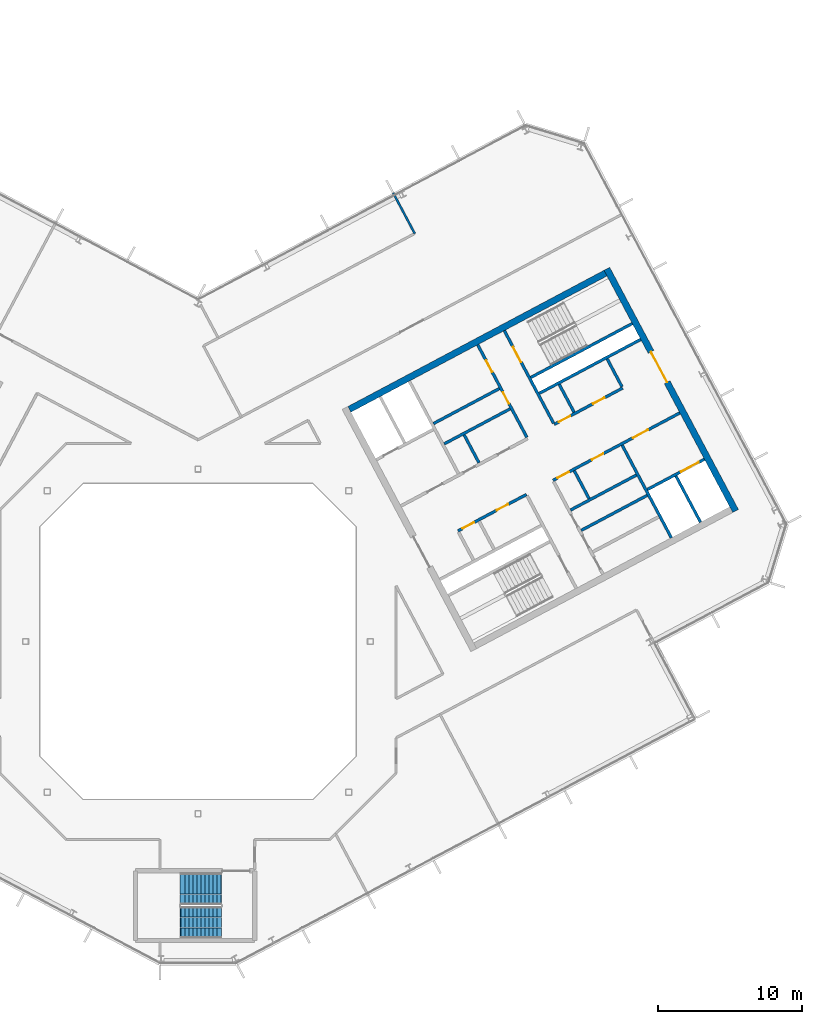
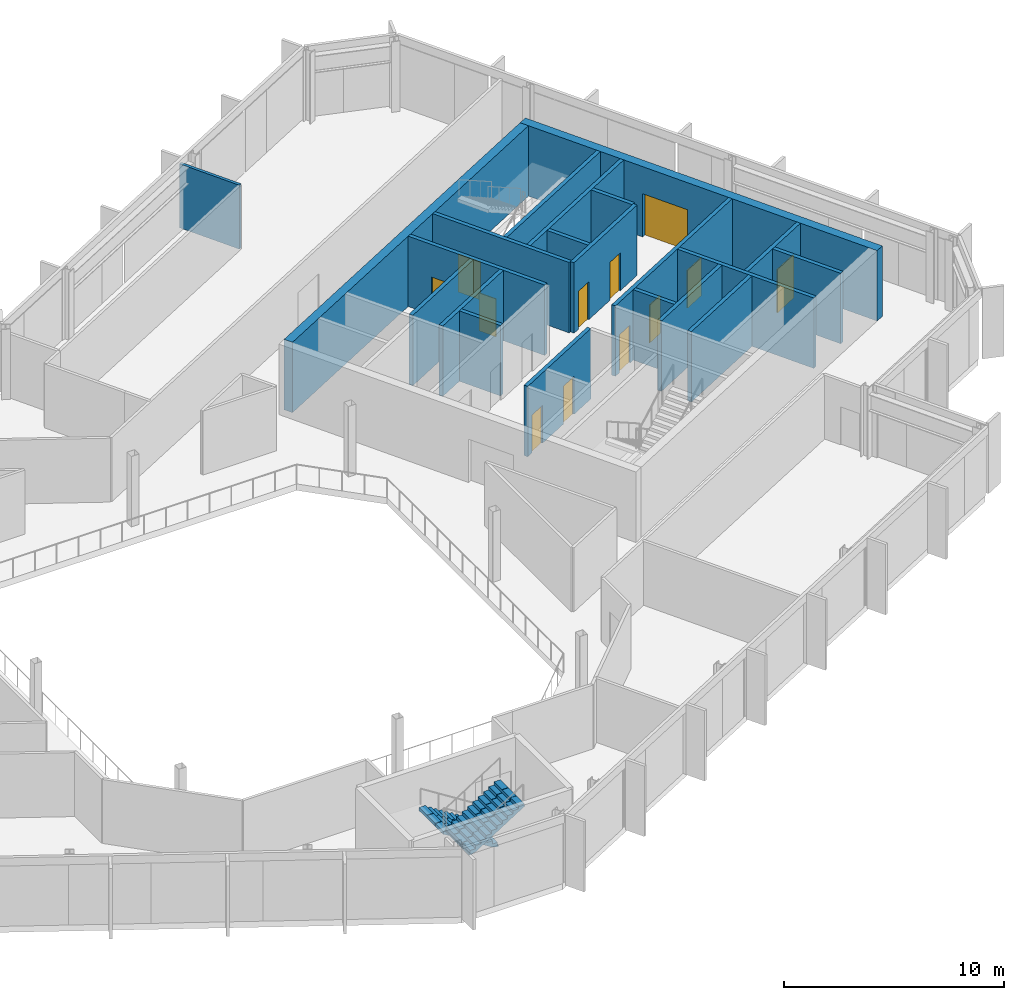
# One storey, part 17 of 26: 21 walls, 12 doors, 2 stair flights, 12 openings, 1 element without a shape of its own.
"""IFC4 building model written with IfcOpenShell, lengths in metres."""

import ifcopenshell
import ifcopenshell.guid

model = None  # the IFC model being written
_history = None  # IfcOwnerHistory: only IFC2X3 demands one
_inside = {}  # id of a spatial element -> (the spatial element, [elements in it])
_under = {}  # id of a project, library or spatial element -> (it, [spatial elements below it])
_declared = {}  # id of a project -> (the project, [libraries it declares])
_typed = {}  # id of a type object -> (the type object, [elements of that type])
_made_of = {}  # id of a material, layer set ... -> (it, [elements and type objects made of it])


def new_model(schema):
    """Start an empty IFC model of exactly this schema.

    Asked for "IFC4X3", IfcOpenShell would pick the latest addendum, in which some entities
    have other attributes; the version numbers below select the first issue.
    IFC2X3 requires an IfcOwnerHistory on every rooted entity: one is made here for all.
    """
    global model, _history
    if schema == "IFC4X3":
        model = ifcopenshell.file(schema_version=(4, 3, 0, 0))
    else:
        model = ifcopenshell.file(schema=schema)
    _inside.clear()
    _under.clear()
    _declared.clear()
    _typed.clear()
    _made_of.clear()
    _history = None
    if model.schema == "IFC2X3":
        org = make("IfcOrganization", Name="unknown")
        user = make(
            "IfcPersonAndOrganization",
            ThePerson=make("IfcPerson", FamilyName="unknown"),
            TheOrganization=org,
        )
        app = make(
            "IfcApplication",
            ApplicationDeveloper=org,
            Version="unknown",
            ApplicationFullName="unknown",
            ApplicationIdentifier="unknown",
        )
        _history = make(
            "IfcOwnerHistory",
            OwningUser=user,
            OwningApplication=app,
            ChangeAction="ADDED",
            CreationDate=0,
        )
    return model


def make(cls, **values):
    """One entity of the class cls with the attributes given. An attribute that is None is left unset."""
    return model.create_entity(
        cls, **{name: value for name, value in values.items() if value is not None}
    )


def rooted(cls, **values):
    """An entity with a GlobalId (a new one), such as an element, a storey or a relation."""
    return make(cls, GlobalId=ifcopenshell.guid.new(), OwnerHistory=_history, **values)


def si_unit(unit_type, name, prefix=None):
    """IfcSIUnit, for example si_unit("LENGTHUNIT", "METRE", prefix="MILLI")."""
    return make("IfcSIUnit", UnitType=unit_type, Prefix=prefix, Name=name)


def assignment(units):
    """IfcUnitAssignment: the units of a project."""
    return None if units is None else make("IfcUnitAssignment", Units=units)


def point(xyz):
    """IfcCartesianPoint."""
    return None if xyz is None else make("IfcCartesianPoint", Coordinates=xyz)


def direction(xyz):
    """IfcDirection."""
    return None if xyz is None else make("IfcDirection", DirectionRatios=xyz)


def frame(location, z_axis=None, x_axis=None):
    """IfcAxis2Placement3D, a coordinate frame: its origin and axes. An axis left out is left unset."""
    return make(
        "IfcAxis2Placement3D",
        Location=point(location),
        Axis=direction(z_axis),
        RefDirection=direction(x_axis),
    )


def frame_2d(location, x_axis=None):
    """IfcAxis2Placement2D, a coordinate frame in the plane: its origin and x axis."""
    return make(
        "IfcAxis2Placement2D", Location=point(location), RefDirection=direction(x_axis)
    )


def origin():
    """The frame at (0, 0, 0) with its axes left unset."""
    return frame((0.0, 0.0, 0.0))


def place(relative_to, where):
    """IfcLocalPlacement: puts the frame where relative to a parent placement (None: the world)."""
    return make(
        "IfcLocalPlacement", PlacementRelTo=relative_to, RelativePlacement=where
    )


def context(
    kind, dimensions, precision=None, world=None, true_north=None, identifier=None
):
    """IfcGeometricRepresentationContext, for example the 3D "Model" context."""
    return make(
        "IfcGeometricRepresentationContext",
        ContextIdentifier=identifier,
        ContextType=kind,
        CoordinateSpaceDimension=dimensions,
        Precision=precision,
        WorldCoordinateSystem=world,
        TrueNorth=true_north,
    )


def subcontext(parent, identifier, kind, view, scale=None):
    """IfcGeometricRepresentationSubContext, for example "Body" below "Model"."""
    return make(
        "IfcGeometricRepresentationSubContext",
        ContextIdentifier=identifier,
        ContextType=kind,
        ParentContext=parent,
        TargetScale=scale,
        TargetView=view,
    )


def project(units=None, contexts=None):
    """IfcProject with its units and contexts."""
    return rooted(
        "IfcProject",
        Name="project",
        RepresentationContexts=contexts,
        UnitsInContext=assignment(units),
    )


def spatial(cls, under=None, at=None, **own):
    """A site, building, storey or space (cls), placed at a placement, below another one or the project."""
    s = rooted(cls, ObjectPlacement=at, **own)
    if under is not None:
        _under.setdefault(under.id(), (under, []))[1].append(s)
    return s


def polyline(points):
    """IfcPolyline through the points."""
    return make("IfcPolyline", Points=[point(p) for p in points])


def profile(cls, at=None, kind="AREA", **sizes):
    """A parametric profile (cls). Its sizes go by their IFC names, for example OverallWidth=200.0."""
    return make(cls, ProfileType=kind, Position=at, **sizes)


def rectangle(**sizes):
    """IfcRectangleProfileDef."""
    return profile("IfcRectangleProfileDef", **sizes)


def outline(outer, holes=None, kind="AREA"):
    """IfcArbitraryClosedProfileDef: a profile drawn as a closed curve; with holes, ...WithVoids."""
    if holes is None:
        return make("IfcArbitraryClosedProfileDef", ProfileType=kind, OuterCurve=outer)
    return make(
        "IfcArbitraryProfileDefWithVoids",
        ProfileType=kind,
        OuterCurve=outer,
        InnerCurves=holes,
    )


def extrude(swept, where, along, depth):
    """IfcExtrudedAreaSolid: the profile swept, set in the frame where, extruded along a direction by depth."""
    return make(
        "IfcExtrudedAreaSolid",
        SweptArea=swept,
        Position=where,
        ExtrudedDirection=direction(along),
        Depth=depth,
    )


def shape(context_of_items, identifier, shape_type, items):
    """IfcShapeRepresentation: the items that make up one representation, for example the "Body"."""
    return make(
        "IfcShapeRepresentation",
        ContextOfItems=context_of_items,
        RepresentationIdentifier=identifier,
        RepresentationType=shape_type,
        Items=items,
    )


def material(Name=None, Category=None):
    """IfcMaterial."""
    return make("IfcMaterial", Name=Name, Category=Category)


def layer(
    of_material, thickness, ventilated=None, Name=None, Category=None, Priority=None
):
    """IfcMaterialLayer: one layer of a wall or slab, of a material (None: an air gap)."""
    return make(
        "IfcMaterialLayer",
        Material=of_material,
        LayerThickness=thickness,
        IsVentilated=ventilated,
        Name=Name,
        Category=Category,
        Priority=Priority,
    )


def layer_set(layers, Name=None):
    """IfcMaterialLayerSet."""
    return make("IfcMaterialLayerSet", MaterialLayers=layers, LayerSetName=Name)


def made_of(thing, what):
    """Note that an element or type object is made of a material, layer set ...; save() writes the relation."""
    if what is not None:
        _made_of.setdefault(what.id(), (what, []))[1].append(thing)
    return thing


def type_object(cls, material=None, **own):
    """A type object (cls), such as IfcWallType, which elements share."""
    return made_of(rooted(cls, **own), material)


def element(
    cls,
    number,
    at=None,
    inside=None,
    cuts=None,
    type_object=None,
    material=None,
    context=None,
    identifier="Body",
    shape_type=None,
    held_by="IfcProductDefinitionShape",
    body=None,
    shapes=None,
    **own,
):
    """One element of the class cls, such as IfcWall. Its Tag is "e" and its number.

    at: its placement. inside: the storey or other place that contains it. cuts: it is an
    opening in that element (IfcRelVoidsElement). A single representation is given by context,
    identifier, shape_type and body (its items); several are given by shapes. held_by: the class
    of the entity that holds the representations. save() writes the other relations.
    """
    e = rooted(cls, Tag="e%d" % number, ObjectPlacement=at, **own)
    if body is not None:
        shapes = [shape(context, identifier, shape_type, body)]
    if shapes is not None:
        e.Representation = make(held_by, Representations=shapes)
    if inside is not None:
        _inside.setdefault(inside.id(), (inside, []))[1].append(e)
    if cuts is not None:
        rooted(
            "IfcRelVoidsElement", RelatingBuildingElement=cuts, RelatedOpeningElement=e
        )
    if type_object is not None:
        _typed.setdefault(type_object.id(), (type_object, []))[1].append(e)
    return made_of(e, material)


def fill(opening, filler):
    """IfcRelFillsElement: the door or window that sits in an opening."""
    return rooted(
        "IfcRelFillsElement",
        RelatingOpeningElement=opening,
        RelatedBuildingElement=filler,
    )


def aggregate(whole, parts):
    """IfcRelAggregates: a whole, such as a stair, and the parts it consists of."""
    return rooted("IfcRelAggregates", RelatingObject=whole, RelatedObjects=parts)


def save(model, path):
    """Write the relations noted so far, then the file.

    IfcRelAggregates (storeys below a building ...), IfcRelContainedInSpatialStructure (elements
    in a storey), IfcRelDefinesByType, IfcRelAssociatesMaterial and IfcRelDeclares: one each for
    every whole, place, type object, material and project.
    """
    for whole, parts in _under.values():
        aggregate(whole, parts)
    for where, things in _inside.values():
        rooted(
            "IfcRelContainedInSpatialStructure",
            RelatedElements=things,
            RelatingStructure=where,
        )
    for kind, things in _typed.values():
        rooted("IfcRelDefinesByType", RelatedObjects=things, RelatingType=kind)
    for what, things in _made_of.values():
        rooted("IfcRelAssociatesMaterial", RelatedObjects=things, RelatingMaterial=what)
    for by, libraries in _declared.values():
        rooted("IfcRelDeclares", RelatingContext=by, RelatedDefinitions=libraries)
    model.write(path)


model = new_model("IFC4")

# Units and contexts
model_context = context("Model", 3, precision=1e-05, world=origin(), true_north=direction((0.0, 1.0)))
body_context = subcontext(model_context, "Body", "Model", "MODEL_VIEW")
ifc_project = project(units=[si_unit("LENGTHUNIT", "METRE"), si_unit("AREAUNIT", "SQUARE_METRE"), si_unit("VOLUMEUNIT", "CUBIC_METRE"), si_unit("PLANEANGLEUNIT", "RADIAN"), si_unit("MASSUNIT", "GRAM", prefix="KILO")], contexts=[model_context])

# Site, building, storey
site_placement = place(None, origin())
site = spatial("IfcSite", under=ifc_project, at=site_placement, CompositionType="ELEMENT")
building_placement = place(site_placement, origin())
building = spatial("IfcBuilding", under=site, at=building_placement, Name="Cormorant Relay Tower", CompositionType="ELEMENT")
storey_placement = place(building_placement, frame((0.0, 0.0, 304.800048828125)))
storey = spatial("IfcBuildingStorey", under=building, at=storey_placement, Name="L69", CompositionType="ELEMENT", Elevation=304.800048828125)

# Walls
ifc_material_1 = material(Name="Concrete 40 MPa", Category="concrete")
ifc_layer_1 = layer(ifc_material_1, 0.199951171875)
ifc_layer_set_1 = layer_set([ifc_layer_1], Name="Core internal wall 200")
wall_type_1 = type_object("IfcWallType", Name="Core internal wall 200", PredefinedType="SOLIDWALL", material=ifc_layer_set_1)
for number, where, z_axis, x_axis, name in (
    (1, (19.568603515625, 12.443603515625, 0.0), (0.0, 0.0, 1.0), (-0.4694473164, 0.882960484464, 0.0), "L69 core B shaft and room wall"),
    (2, (27.236083984375, 9.951416015625, 0.0), (0.0, 0.0, 1.0), (-0.4694473164, 0.882960484464, 0.0), "L69 core B shaft and room wall"),
    (3, (26.19091796875, 15.964599609375, 0.0), (0.0, 0.0, 1.0), (-0.469533832133, 0.882914480843, 0.0), "L69 core B shaft and room wall"),
):
    element("IfcWall", number, at=place(storey_placement, frame(where, z_axis=z_axis, x_axis=x_axis)), inside=storey, type_object=wall_type_1, Name=name, PredefinedType="SOLIDWALL", context=body_context, shape_type="SweptSolid", body=[
        extrude(rectangle(XDim=2.199951171875, YDim=0.199951171875, at=frame_2d((1.10009765625, 0.0))), origin(), (0.0, 0.0, 1.0), 3.89990234375),
    ])
for number, where, z_axis, x_axis, name in (
    (4, (26.692138671875, 7.73681640625, 0.0), (0.0, 0.0, 1.0), (0.882953967957, 0.469459572775, 0.0), "L69 core B shaft and room wall"),
    (5, (16.395751953125, 15.17333984375, 0.0), (0.0, 0.0, 1.0), (0.882934506056, 0.469496174655, 0.0), "L69 core B shaft and room wall"),
):
    element("IfcWall", number, at=place(storey_placement, frame(where, z_axis=z_axis, x_axis=x_axis)), inside=storey, type_object=wall_type_1, Name=name, PredefinedType="SOLIDWALL", context=body_context, shape_type="SweptSolid", body=[
        extrude(rectangle(XDim=5.199951171875, YDim=0.199951171875, at=frame_2d((2.60009765625, 0.0))), origin(), (0.0, 0.0, 1.0), 3.89990234375),
    ])

# Wall, openings, doors
ifc_material_2 = material(Name="Concrete 50 MPa", Category="concrete")
ifc_layer_2 = layer(ifc_material_2, 0.199951171875)
ifc_layer_set_2 = layer_set([ifc_layer_2], Name="Core shaft wall 200")
wall_type_2 = type_object("IfcWallType", Name="Core shaft wall 200", PredefinedType="SHEAR", material=ifc_layer_set_2)
wall_1_placement = place(storey_placement, frame((22.90625, 14.218017578125, 0.0), z_axis=(0.0, 0.0, 1.0), x_axis=(-0.469480409012, 0.88294288918, 0.0)))
wall_1 = element("IfcWall", 6, at=wall_1_placement, inside=storey, type_object=wall_type_2, Name="L69 core B shaft wall", PredefinedType="SHEAR", context=body_context, shape_type="SweptSolid", body=[
    extrude(rectangle(XDim=7.300048828125, YDim=0.199951171875, at=frame_2d((3.64990234375, 0.0))), origin(), (0.0, 0.0, 1.0), 3.89990234375),
])
opening_1_placement = place(wall_1_placement, frame((2.64990234375, 0.0, 0.0)))
opening_1 = element("IfcOpeningElement", 7, at=opening_1_placement, cuts=wall_1, Name="Opening CDD-304", PredefinedType="OPENING", context=body_context, shape_type="SweptSolid", body=[
    extrude(rectangle(XDim=0.89990234375, YDim=2.10009765625, at=frame_2d((0.449951171875, 1.050048828125))), frame((0.0, 0.10986328125, 0.0), z_axis=(0.0, -1.0, 0.0), x_axis=(1.0, 0.0, 0.0)), (0.0, 0.0, 1.0), 0.219970703125),
])
opening_2_placement = place(wall_1_placement, frame((5.14990234375, 0.0, 0.0)))
opening_2 = element("IfcOpeningElement", 8, at=opening_2_placement, cuts=wall_1, Name="Opening CDD-342", PredefinedType="OPENING", context=body_context, shape_type="SweptSolid", body=[
    extrude(rectangle(XDim=0.89990234375, YDim=2.10009765625, at=frame_2d((0.449951171875, 1.050048828125))), frame((0.0, 0.10986328125, 0.0), z_axis=(0.0, -1.0, 0.0), x_axis=(1.0, 0.0, 0.0)), (0.0, 0.0, 1.0), 0.219970703125),
])
ifc_material_3 = material(Name="Steel fire door", Category="steel")
door_type_1 = type_object("IfcDoorType", Name="Core room door 900x2100", OperationType="SINGLE_SWING_LEFT", PredefinedType="DOOR", material=ifc_material_3)
door_1_placement = place(opening_1_placement, origin())
door_1 = element("IfcDoor", 9, at=door_1_placement, inside=storey, type_object=door_type_1, Name="Core room door 900x2100", OperationType="SINGLE_SWING_RIGHT", OverallHeight=2.10009765625, OverallWidth=0.89990234375, PredefinedType="DOOR", context=body_context, shape_type="SweptSolid", body=[
    extrude(rectangle(XDim=0.89990234375, YDim=2.10009765625, at=frame_2d((0.449951171875, 1.050048828125))), frame((0.0, 0.02490234375, 0.0), z_axis=(0.0, -1.0, 0.0), x_axis=(1.0, 0.0, 0.0)), (0.0, 0.0, 1.0), 0.050048828125),
])
fill(opening_1, door_1)
door_2_placement = place(opening_2_placement, origin())
door_2 = element("IfcDoor", 10, at=door_2_placement, inside=storey, type_object=door_type_1, Name="Core room door 900x2100", OperationType="SINGLE_SWING_LEFT", OverallHeight=2.10009765625, OverallWidth=0.89990234375, PredefinedType="DOOR", context=body_context, shape_type="SweptSolid", body=[
    extrude(rectangle(XDim=0.89990234375, YDim=2.10009765625, at=frame_2d((0.449951171875, 1.050048828125))), frame((0.0, 0.02490234375, 0.0), z_axis=(0.0, -1.0, 0.0), x_axis=(1.0, 0.0, 0.0)), (0.0, 0.0, 1.0), 0.050048828125),
])
fill(opening_2, door_2)

# Wall, opening, door
wall_2_placement = place(storey_placement, frame((24.760498046875, 15.2041015625, 0.0), z_axis=(0.0, 0.0, 1.0), x_axis=(-0.469494272526, 0.882935517501, 0.0)))
wall_2 = element("IfcWall", 11, at=wall_2_placement, inside=storey, type_object=wall_type_2, Name="L69 core B shaft wall", PredefinedType="SHEAR", context=body_context, shape_type="SweptSolid", body=[
    extrude(rectangle(XDim=7.2998046875, YDim=0.199951171875, at=frame_2d((3.64990234375, 0.0))), origin(), (0.0, 0.0, 1.0), 3.89990234375),
])
opening_3_placement = place(wall_2_placement, frame((4.800048828125, 0.0, 0.0)))
opening_3 = element("IfcOpeningElement", 12, at=opening_3_placement, cuts=wall_2, Name="Opening CDB-041", PredefinedType="OPENING", context=body_context, shape_type="SweptSolid", body=[
    extrude(rectangle(XDim=1.199951171875, YDim=2.10009765625, at=frame_2d((0.60009765625, 1.050048828125))), frame((0.0, 0.10986328125, 0.0), z_axis=(0.0, -1.0, 0.0), x_axis=(1.0, 0.0, 0.0)), (0.0, 0.0, 1.0), 0.219970703125),
])
ifc_material_4 = material(Name="Steel fire door", Category="steel")
door_type_2 = type_object("IfcDoorType", Name="Core stair door 1200x2100", OperationType="SINGLE_SWING_LEFT", PredefinedType="DOOR", material=ifc_material_4)
door_3_placement = place(opening_3_placement, frame((1.199951171875, 0.0, 0.0), z_axis=(0.0, 0.0, 1.0), x_axis=(-1.0, 0.0, 0.0)))
door_3 = element("IfcDoor", 13, at=door_3_placement, inside=storey, type_object=door_type_2, Name="Core stair door 1200x2100", OperationType="SINGLE_SWING_RIGHT", OverallHeight=2.10009765625, OverallWidth=1.199951171875, PredefinedType="DOOR", context=body_context, shape_type="SweptSolid", body=[
    extrude(rectangle(XDim=1.199951171875, YDim=2.10009765625, at=frame_2d((0.60009765625, 1.050048828125))), frame((0.0, 0.02490234375, 0.0), z_axis=(0.0, -1.0, 0.0), x_axis=(1.0, 0.0, 0.0)), (0.0, 0.0, 1.0), 0.050048828125),
])
fill(opening_3, door_3)

# Walls
wall_3_placement = place(storey_placement, frame((32.968017578125, 7.222900390625, 0.0), z_axis=(0.0, 0.0, 1.0), x_axis=(-0.469480409012, 0.88294288918, 0.0)))
element("IfcWall", 14, at=wall_3_placement, inside=storey, type_object=wall_type_2, Name="L69 core B shaft wall", PredefinedType="SHEAR", context=body_context, shape_type="SweptSolid", body=[
    extrude(rectangle(XDim=7.300048828125, YDim=0.199951171875, at=frame_2d((3.64990234375, 0.0))), origin(), (0.0, 0.0, 1.0), 3.89990234375),
])
wall_4_placement = place(storey_placement, frame((29.5283203125, 17.739013671875, 0.0), z_axis=(0.0, 0.0, 1.0), x_axis=(-0.469401318492, 0.882984938828, 0.0)))
element("IfcWall", 15, at=wall_4_placement, inside=storey, type_object=wall_type_2, Name="L69 core B shaft wall", PredefinedType="SHEAR", context=body_context, shape_type="SweptSolid", body=[
    extrude(rectangle(XDim=2.199951171875, YDim=0.199951171875, at=frame_2d((1.10009765625, 0.0))), origin(), (0.0, 0.0, 1.0), 3.89990234375),
])
wall_5_placement = place(storey_placement, frame((34.998779296875, 8.302734375, 0.0), z_axis=(0.0, 0.0, 1.0), x_axis=(-0.4694665462, 0.882950260207, 0.0)))
element("IfcWall", 16, at=wall_5_placement, inside=storey, type_object=wall_type_2, Name="L69 core B shaft wall", PredefinedType="SHEAR", context=body_context, shape_type="SweptSolid", body=[
    extrude(rectangle(XDim=3.650146484375, YDim=0.199951171875, at=frame_2d((1.8251953125, 0.0))), origin(), (0.0, 0.0, 1.0), 3.89990234375),
])

# Wall, opening, door
wall_6_placement = place(storey_placement, frame((31.295654296875, 10.5810546875, 0.0), z_axis=(0.0, 0.0, 1.0), x_axis=(0.882960433586, 0.469447412093, 0.0)))
wall_6 = element("IfcWall", 17, at=wall_6_placement, inside=storey, type_object=wall_type_2, Name="L69 core B shaft wall", PredefinedType="SHEAR", context=body_context, shape_type="SweptSolid", body=[
    extrude(rectangle(XDim=4.5, YDim=0.199951171875, at=frame_2d((2.25, 0.0))), origin(), (0.0, 0.0, 1.0), 3.89990234375),
])
opening_4_placement = place(wall_6_placement, frame((2.64990234375, 0.0, 0.0)))
opening_4 = element("IfcOpeningElement", 18, at=opening_4_placement, cuts=wall_6, Name="Opening LD3-016", PredefinedType="OPENING", context=body_context, shape_type="SweptSolid", body=[
    extrude(rectangle(XDim=1.39990234375, YDim=2.39990234375, at=frame_2d((0.699951171875, 1.199951171875))), frame((0.0, 0.10986328125, 0.0), z_axis=(0.0, -1.0, 0.0), x_axis=(1.0, 0.0, 0.0)), (0.0, 0.0, 1.0), 0.219970703125),
])
ifc_material_5 = material(Name="Stainless steel 316", Category="steel")
door_type_3 = type_object("IfcDoorType", Name="Lift landing door 1400x2400", OperationType="DOUBLE_DOOR_SLIDING", PredefinedType="DOOR", material=ifc_material_5)
door_4_placement = place(opening_4_placement, origin())
door_4 = element("IfcDoor", 19, at=door_4_placement, inside=storey, type_object=door_type_3, Name="SV2 landing door", OperationType="DOUBLE_DOOR_SLIDING", OverallHeight=2.39990234375, OverallWidth=1.39990234375, PredefinedType="DOOR", context=body_context, shape_type="SweptSolid", body=[
    extrude(rectangle(XDim=1.39990234375, YDim=2.39990234375, at=frame_2d((0.699951171875, 1.199951171875))), frame((0.0, 0.02490234375, 0.0), z_axis=(0.0, -1.0, 0.0), x_axis=(1.0, 0.0, 0.0)), (0.0, 0.0, 1.0), 0.050048828125),
])
fill(opening_4, door_4)

# Wall
wall_7_placement = place(storey_placement, frame((25.94091796875, 9.149658203125, 0.0), z_axis=(0.0, 0.0, 1.0), x_axis=(0.882953967957, 0.469459572775, 0.0)))
element("IfcWall", 20, at=wall_7_placement, inside=storey, type_object=wall_type_2, Name="L69 core B shaft wall", PredefinedType="SHEAR", context=body_context, shape_type="SweptSolid", body=[
    extrude(rectangle(XDim=5.199951171875, YDim=0.199951171875, at=frame_2d((2.60009765625, 0.0))), origin(), (0.0, 0.0, 1.0), 3.89990234375),
])

# Wall, openings, doors
wall_8_placement = place(storey_placement, frame((18.103759765625, 7.70068359375, 0.0), z_axis=(0.0, 0.0, 1.0), x_axis=(0.882952937579, 0.469461510692, 0.0)))
wall_8 = element("IfcWall", 21, at=wall_8_placement, inside=storey, type_object=wall_type_2, Name="L69 core B shaft wall", PredefinedType="SHEAR", context=body_context, shape_type="SweptSolid", body=[
    extrude(rectangle(XDim=5.400146484375, YDim=0.199951171875, at=frame_2d((2.7001953125, 0.0))), origin(), (0.0, 0.0, 1.0), 3.89990234375),
])
opening_5_placement = place(wall_8_placement, frame((0.360107421875, 0.0, 0.0)))
opening_5 = element("IfcOpeningElement", 22, at=opening_5_placement, cuts=wall_8, Name="Opening CDD-245", PredefinedType="OPENING", context=body_context, shape_type="SweptSolid", body=[
    extrude(rectangle(XDim=0.89990234375, YDim=2.10009765625, at=frame_2d((0.449951171875, 1.050048828125))), frame((0.0, 0.10986328125, 0.0), z_axis=(0.0, -1.0, 0.0), x_axis=(1.0, 0.0, 0.0)), (0.0, 0.0, 1.0), 0.219970703125),
])
opening_6_placement = place(wall_8_placement, frame((3.06005859375, 0.0, 0.0)))
opening_6 = element("IfcOpeningElement", 23, at=opening_6_placement, cuts=wall_8, Name="Opening CDD-246", PredefinedType="OPENING", context=body_context, shape_type="SweptSolid", body=[
    extrude(rectangle(XDim=0.89990234375, YDim=2.10009765625, at=frame_2d((0.449951171875, 1.050048828125))), frame((0.0, 0.10986328125, 0.0), z_axis=(0.0, -1.0, 0.0), x_axis=(1.0, 0.0, 0.0)), (0.0, 0.0, 1.0), 0.219970703125),
])
door_5_placement = place(opening_5_placement, frame((0.89990234375, 0.0, 0.0), z_axis=(0.0, 0.0, 1.0), x_axis=(-1.0, 0.0, 0.0)))
door_5 = element("IfcDoor", 24, at=door_5_placement, inside=storey, type_object=door_type_1, Name="Core room door 900x2100", OperationType="SINGLE_SWING_RIGHT", OverallHeight=2.10009765625, OverallWidth=0.89990234375, PredefinedType="DOOR", context=body_context, shape_type="SweptSolid", body=[
    extrude(rectangle(XDim=0.89990234375, YDim=2.10009765625, at=frame_2d((0.449951171875, 1.050048828125))), frame((0.0, 0.02490234375, 0.0), z_axis=(0.0, -1.0, 0.0), x_axis=(1.0, 0.0, 0.0)), (0.0, 0.0, 1.0), 0.050048828125),
])
fill(opening_5, door_5)
door_6_placement = place(opening_6_placement, frame((0.89990234375, 0.0, 0.0), z_axis=(0.0, 0.0, 1.0), x_axis=(-1.0, 0.0, 0.0)))
door_6 = element("IfcDoor", 25, at=door_6_placement, inside=storey, type_object=door_type_1, Name="Core room door 900x2100", OperationType="SINGLE_SWING_RIGHT", OverallHeight=2.10009765625, OverallWidth=0.89990234375, PredefinedType="DOOR", context=body_context, shape_type="SweptSolid", body=[
    extrude(rectangle(XDim=0.89990234375, YDim=2.10009765625, at=frame_2d((0.449951171875, 1.050048828125))), frame((0.0, 0.02490234375, 0.0), z_axis=(0.0, -1.0, 0.0), x_axis=(1.0, 0.0, 0.0)), (0.0, 0.0, 1.0), 0.050048828125),
])
fill(opening_6, door_6)

wall_9_placement = place(storey_placement, frame((24.72607421875, 11.2216796875, 0.0), z_axis=(0.0, 0.0, 1.0), x_axis=(0.882940221191, 0.469485426614, 0.0)))
wall_9 = element("IfcWall", 26, at=wall_9_placement, inside=storey, type_object=wall_type_2, Name="L69 core B shaft wall", PredefinedType="SHEAR", context=body_context, shape_type="SweptSolid", body=[
    extrude(rectangle(XDim=10.0, YDim=0.199951171875, at=frame_2d((5.0, 0.0))), origin(), (0.0, 0.0, 1.0), 3.89990234375),
])
opening_7_placement = place(wall_9_placement, frame((6.300048828125, 0.0, 0.0)))
opening_7 = element("IfcOpeningElement", 27, at=opening_7_placement, cuts=wall_9, Name="Opening CDC-036", PredefinedType="OPENING", context=body_context, shape_type="SweptSolid", body=[
    extrude(rectangle(XDim=1.199951171875, YDim=2.10009765625, at=frame_2d((0.60009765625, 1.050048828125))), frame((0.0, 0.10986328125, 0.0), z_axis=(0.0, -1.0, 0.0), x_axis=(1.0, 0.0, 0.0)), (0.0, 0.0, 1.0), 0.219970703125),
])
opening_8_placement = place(wall_9_placement, frame((0.360107421875, 0.0, 0.0)))
opening_8 = element("IfcOpeningElement", 28, at=opening_8_placement, cuts=wall_9, Name="Opening CDD-247", PredefinedType="OPENING", context=body_context, shape_type="SweptSolid", body=[
    extrude(rectangle(XDim=0.89990234375, YDim=2.10009765625, at=frame_2d((0.449951171875, 1.050048828125))), frame((0.0, 0.10986328125, 0.0), z_axis=(0.0, -1.0, 0.0), x_axis=(1.0, 0.0, 0.0)), (0.0, 0.0, 1.0), 0.219970703125),
])
opening_9_placement = place(wall_9_placement, frame((3.06005859375, 0.0, 0.0)))
opening_9 = element("IfcOpeningElement", 29, at=opening_9_placement, cuts=wall_9, Name="Opening CDD-248", PredefinedType="OPENING", context=body_context, shape_type="SweptSolid", body=[
    extrude(rectangle(XDim=0.89990234375, YDim=2.10009765625, at=frame_2d((0.449951171875, 1.050048828125))), frame((0.0, 0.10986328125, 0.0), z_axis=(0.0, -1.0, 0.0), x_axis=(1.0, 0.0, 0.0)), (0.0, 0.0, 1.0), 0.219970703125),
])
ifc_material_6 = material(Name="Steel fire door", Category="steel")
door_type_4 = type_object("IfcDoorType", Name="Core lobby door 1200x2100", OperationType="SINGLE_SWING_LEFT", PredefinedType="DOOR", material=ifc_material_6)
door_7_placement = place(opening_7_placement, frame((1.199951171875, 0.0, 0.0), z_axis=(0.0, 0.0, 1.0), x_axis=(-1.0, 0.0, 0.0)))
door_7 = element("IfcDoor", 30, at=door_7_placement, inside=storey, type_object=door_type_4, Name="Core lobby door 1200x2100", OperationType="SINGLE_SWING_RIGHT", OverallHeight=2.10009765625, OverallWidth=1.199951171875, PredefinedType="DOOR", context=body_context, shape_type="SweptSolid", body=[
    extrude(rectangle(XDim=1.199951171875, YDim=2.10009765625, at=frame_2d((0.60009765625, 1.050048828125))), frame((0.0, 0.02490234375, 0.0), z_axis=(0.0, -1.0, 0.0), x_axis=(1.0, 0.0, 0.0)), (0.0, 0.0, 1.0), 0.050048828125),
])
fill(opening_7, door_7)
door_8_placement = place(opening_8_placement, frame((0.89990234375, 0.0, 0.0), z_axis=(0.0, 0.0, 1.0), x_axis=(-1.0, 0.0, 0.0)))
door_8 = element("IfcDoor", 31, at=door_8_placement, inside=storey, type_object=door_type_1, Name="Core room door 900x2100", OperationType="SINGLE_SWING_RIGHT", OverallHeight=2.10009765625, OverallWidth=0.89990234375, PredefinedType="DOOR", context=body_context, shape_type="SweptSolid", body=[
    extrude(rectangle(XDim=0.89990234375, YDim=2.10009765625, at=frame_2d((0.449951171875, 1.050048828125))), frame((0.0, 0.02490234375, 0.0), z_axis=(0.0, -1.0, 0.0), x_axis=(1.0, 0.0, 0.0)), (0.0, 0.0, 1.0), 0.050048828125),
])
fill(opening_8, door_8)
door_9_placement = place(opening_9_placement, frame((0.89990234375, 0.0, 0.0), z_axis=(0.0, 0.0, 1.0), x_axis=(-1.0, 0.0, 0.0)))
door_9 = element("IfcDoor", 32, at=door_9_placement, inside=storey, type_object=door_type_1, Name="Core room door 900x2100", OperationType="SINGLE_SWING_RIGHT", OverallHeight=2.10009765625, OverallWidth=0.89990234375, PredefinedType="DOOR", context=body_context, shape_type="SweptSolid", body=[
    extrude(rectangle(XDim=0.89990234375, YDim=2.10009765625, at=frame_2d((0.449951171875, 1.050048828125))), frame((0.0, 0.02490234375, 0.0), z_axis=(0.0, -1.0, 0.0), x_axis=(1.0, 0.0, 0.0)), (0.0, 0.0, 1.0), 0.050048828125),
])
fill(opening_9, door_9)

wall_10_placement = place(storey_placement, frame((24.807373046875, 15.11572265625, 0.0), z_axis=(0.0, 0.0, 1.0), x_axis=(0.882942972946, 0.469480251476, 0.0)))
wall_10 = element("IfcWall", 33, at=wall_10_placement, inside=storey, type_object=wall_type_2, Name="L69 core B shaft wall", PredefinedType="SHEAR", context=body_context, shape_type="SweptSolid", body=[
    extrude(rectangle(XDim=5.39990234375, YDim=0.199951171875, at=frame_2d((2.699951171875, 0.0))), origin(), (0.0, 0.0, 1.0), 3.89990234375),
])
opening_10_placement = place(wall_10_placement, frame((0.360107421875, 0.0, 0.0)))
opening_10 = element("IfcOpeningElement", 34, at=opening_10_placement, cuts=wall_10, Name="Opening CDD-243", PredefinedType="OPENING", context=body_context, shape_type="SweptSolid", body=[
    extrude(rectangle(XDim=0.89990234375, YDim=2.10009765625, at=frame_2d((0.449951171875, 1.050048828125))), frame((0.0, 0.10986328125, 0.0), z_axis=(0.0, -1.0, 0.0), x_axis=(1.0, 0.0, 0.0)), (0.0, 0.0, 1.0), 0.219970703125),
])
opening_11_placement = place(wall_10_placement, frame((3.06005859375, 0.0, 0.0)))
opening_11 = element("IfcOpeningElement", 35, at=opening_11_placement, cuts=wall_10, Name="Opening CDD-294", PredefinedType="OPENING", context=body_context, shape_type="SweptSolid", body=[
    extrude(rectangle(XDim=0.89990234375, YDim=2.10009765625, at=frame_2d((0.449951171875, 1.050048828125))), frame((0.0, 0.10986328125, 0.0), z_axis=(0.0, -1.0, 0.0), x_axis=(1.0, 0.0, 0.0)), (0.0, 0.0, 1.0), 0.219970703125),
])
door_10_placement = place(opening_10_placement, origin())
door_10 = element("IfcDoor", 36, at=door_10_placement, inside=storey, type_object=door_type_1, Name="Core room door 900x2100", OperationType="SINGLE_SWING_LEFT", OverallHeight=2.10009765625, OverallWidth=0.89990234375, PredefinedType="DOOR", context=body_context, shape_type="SweptSolid", body=[
    extrude(rectangle(XDim=0.89990234375, YDim=2.10009765625, at=frame_2d((0.449951171875, 1.050048828125))), frame((0.0, 0.02490234375, 0.0), z_axis=(0.0, -1.0, 0.0), x_axis=(1.0, 0.0, 0.0)), (0.0, 0.0, 1.0), 0.050048828125),
])
fill(opening_10, door_10)
door_11_placement = place(opening_11_placement, origin())
door_11 = element("IfcDoor", 37, at=door_11_placement, inside=storey, type_object=door_type_1, Name="Core room door 900x2100", OperationType="SINGLE_SWING_LEFT", OverallHeight=2.10009765625, OverallWidth=0.89990234375, PredefinedType="DOOR", context=body_context, shape_type="SweptSolid", body=[
    extrude(rectangle(XDim=0.89990234375, YDim=2.10009765625, at=frame_2d((0.449951171875, 1.050048828125))), frame((0.0, 0.02490234375, 0.0), z_axis=(0.0, -1.0, 0.0), x_axis=(1.0, 0.0, 0.0)), (0.0, 0.0, 1.0), 0.050048828125),
])
fill(opening_11, door_11)

# Walls
wall_11_placement = place(storey_placement, frame((17.146728515625, 13.7607421875, 0.0), z_axis=(0.0, 0.0, 1.0), x_axis=(0.882964314875, 0.469440111896, 0.0)))
element("IfcWall", 38, at=wall_11_placement, inside=storey, type_object=wall_type_2, Name="L69 core B shaft wall", PredefinedType="SHEAR", context=body_context, shape_type="SweptSolid", body=[
    extrude(rectangle(XDim=5.2001953125, YDim=0.199951171875, at=frame_2d((2.60009765625, 0.0))), origin(), (0.0, 0.0, 1.0), 3.89990234375),
])
wall_12_placement = place(storey_placement, frame((23.76904296875, 17.28173828125, 0.0), z_axis=(0.0, 0.0, 1.0), x_axis=(0.882940221191, 0.469485426614, 0.0)))
element("IfcWall", 39, at=wall_12_placement, inside=storey, type_object=wall_type_2, Name="L69 core B shaft wall", PredefinedType="SHEAR", context=body_context, shape_type="SweptSolid", body=[
    extrude(rectangle(XDim=8.0, YDim=0.199951171875, at=frame_2d((4.0, 0.0))), origin(), (0.0, 0.0, 1.0), 3.89990234375),
])
wall_13_placement = place(storey_placement, frame((23.18212890625, 18.385498046875, 0.0), z_axis=(0.0, 0.0, 1.0), x_axis=(0.88295287151, 0.469461634952, 0.0)))
element("IfcWall", 40, at=wall_13_placement, inside=storey, type_object=wall_type_2, Name="L69 core B shaft wall", PredefinedType="SHEAR", context=body_context, shape_type="SweptSolid", body=[
    extrude(rectangle(XDim=7.999755859375, YDim=0.199951171875, at=frame_2d((4.0, 0.0))), origin(), (0.0, 0.0, 1.0), 3.89990234375),
])

# Wall, opening, door
ifc_material_7 = material(Name="Concrete 50 MPa", Category="concrete")
ifc_layer_3 = layer(ifc_material_7, 0.449951171875)
ifc_layer_set_3 = layer_set([ifc_layer_3], Name="Core wall 450")
wall_type_3 = type_object("IfcWallType", Name="Core wall 450", PredefinedType="SHEAR", material=ifc_layer_set_3)
wall_14_placement = place(storey_placement, frame((37.439453125, 9.0908203125, 0.0), z_axis=(0.0, 0.0, 1.0), x_axis=(-0.469467968382, 0.882949504028, 0.0)))
wall_14 = element("IfcWall", 41, at=wall_14_placement, inside=storey, type_object=wall_type_3, Name="L69 core B wall", PredefinedType="SHEAR", context=body_context, shape_type="SweptSolid", body=[
    extrude(rectangle(XDim=19.099853515625, YDim=0.449951171875, at=frame_2d((9.5498046875, 0.0))), origin(), (0.0, 0.0, 1.0), 3.89990234375),
])
opening_12_placement = place(wall_14_placement, frame((10.14990234375, 0.0, 0.0)))
opening_12 = element("IfcOpeningElement", 42, at=opening_12_placement, cuts=wall_14, Name="Opening CDA-057", PredefinedType="OPENING", context=body_context, shape_type="SweptSolid", body=[
    extrude(rectangle(XDim=2.39990234375, YDim=2.39990234375, at=frame_2d((1.199951171875, 1.199951171875))), frame((0.0, 0.23486328125, 0.0), z_axis=(0.0, -1.0, 0.0), x_axis=(1.0, 0.0, 0.0)), (0.0, 0.0, 1.0), 0.469970703125),
])
ifc_material_8 = material(Name="Steel fire door", Category="steel")
door_type_5 = type_object("IfcDoorType", Name="Core lobby door 2400x2400", OperationType="DOUBLE_DOOR_SINGLE_SWING", PredefinedType="DOOR", material=ifc_material_8)
door_12_placement = place(opening_12_placement, frame((2.39990234375, 0.0, 0.0), z_axis=(0.0, 0.0, 1.0), x_axis=(-1.0, 0.0, 0.0)))
door_12 = element("IfcDoor", 43, at=door_12_placement, inside=storey, type_object=door_type_5, Name="Core lobby door 2400x2400", OperationType="DOUBLE_DOOR_SINGLE_SWING", OverallHeight=2.39990234375, OverallWidth=2.39990234375, PredefinedType="DOOR", context=body_context, shape_type="SweptSolid", body=[
    extrude(rectangle(XDim=2.39990234375, YDim=2.39990234375, at=frame_2d((1.199951171875, 1.199951171875))), frame((0.0, 0.02490234375, 0.0), z_axis=(0.0, -1.0, 0.0), x_axis=(1.0, 0.0, 0.0)), (0.0, 0.0, 1.0), 0.050048828125),
])
fill(opening_12, door_12)

# Walls
wall_15_placement = place(storey_placement, frame((10.5439453125, 16.16748046875, 0.0), z_axis=(0.0, 0.0, 1.0), x_axis=(0.882947755831, 0.46947125628, 0.0)))
element("IfcWall", 44, at=wall_15_placement, inside=storey, type_object=wall_type_3, Name="L69 core B wall", PredefinedType="SHEAR", context=body_context, shape_type="SweptSolid", body=[
    extrude(rectangle(XDim=20.2001953125, YDim=0.449951171875, at=frame_2d((10.10009765625, 0.0))), origin(), (0.0, 0.0, 1.0), 3.89990234375),
])
ifc_material_9 = material(Name="Gypsum board partition")
ifc_layer_4 = layer(ifc_material_9, 0.14990234375)
ifc_layer_set_4 = layer_set([ifc_layer_4], Name="Tenant partition 150")
wall_type_4 = type_object("IfcWallType", Name="Tenant partition 150", PredefinedType="PARTITIONING", material=ifc_layer_set_4)
wall_16_placement = place(storey_placement, frame((15.093994140625, 28.412109375, 0.0), z_axis=(0.0, 0.0, 1.0), x_axis=(-0.469082703107, 0.883154243406, 0.0)))
element("IfcWall", 45, at=wall_16_placement, inside=storey, type_object=wall_type_4, Name="wall/L69/part/030", PredefinedType="PARTITIONING", context=body_context, shape_type="SweptSolid", body=[
    extrude(rectangle(XDim=3.19970703125, YDim=0.14990234375, at=frame_2d((1.599853515625, 0.0))), origin(), (0.0, 0.0, 1.0), 3.5400390625),
])

# Stair, stair flights
ifc_material_10 = material(Name="Concrete 40 MPa", Category="concrete")
stair_type = type_object("IfcStairType", Name="Remote exit stair 2200", PredefinedType="HALF_TURN_STAIR", material=ifc_material_10)
stair_placement = place(storey_placement, origin())
stair = element("IfcStair", 46, at=stair_placement, inside=storey, type_object=stair_type, Name="L69 Stair", PredefinedType="HALF_TURN_STAIR")
ifc_material_11 = material(Name="Concrete 40 MPa", Category="concrete")
stair_flight_type = type_object("IfcStairFlightType", Name="Remote exit stair flight 2200", PredefinedType="STRAIGHT", material=ifc_material_11)
stair_flight_1_placement = place(storey_placement, frame((1.60009765625, -17.22509765625, 0.0), z_axis=(0.0, 0.0, 1.0), x_axis=(-1.0, 0.0, 0.0)))
stair_flight_1 = element("IfcStairFlight", 47, at=stair_flight_1_placement, type_object=stair_flight_type, Name="RK1 flight 1", NumberOfRisers=11, NumberOfTreads=10, PredefinedType="STRAIGHT", RiserHeight=0.177272727, TreadLength=0.28, context=body_context, shape_type="SweptSolid", body=[
    extrude(outline(polyline([(-0.050048828125, -0.080078125), (-0.050048828125, 0.0), (0.0, 0.0), (0.0, 0.17724609375), (0.280029296875, 0.17724609375), (0.280029296875, 0.3544921875), (0.56005859375, 0.3544921875), (0.56005859375, 0.53173828125), (0.840087890625, 0.53173828125), (0.840087890625, 0.708984375), (1.1201171875, 0.708984375), (1.1201171875, 0.886474609375), (1.39990234375, 0.886474609375), (1.39990234375, 1.063720703125), (1.679931640625, 1.063720703125), (1.679931640625, 1.240966796875), (1.9599609375, 1.240966796875), (1.9599609375, 1.418212890625), (2.239990234375, 1.418212890625), (2.239990234375, 1.595458984375), (2.52001953125, 1.595458984375), (2.52001953125, 1.772705078125), (2.800048828125, 1.772705078125), (2.85009765625, 1.772705078125), (2.85009765625, 1.59521484375), (2.800048828125, 1.59521484375), (0.2802734375, 0.0), (-0.050048828125, -0.080078125)])), frame((0.0, 1.10009765625, 0.0), z_axis=(0.0, -1.0, 0.0), x_axis=(1.0, 0.0, 0.0)), (0.0, 0.0, 1.0), 0.719970703125),
    extrude(outline(polyline([(-0.050048828125, -0.080078125), (-0.050048828125, 0.0), (0.0, 0.0), (0.0, 0.17724609375), (0.280029296875, 0.17724609375), (0.280029296875, 0.3544921875), (0.56005859375, 0.3544921875), (0.56005859375, 0.53173828125), (0.840087890625, 0.53173828125), (0.840087890625, 0.708984375), (1.1201171875, 0.708984375), (1.1201171875, 0.886474609375), (1.39990234375, 0.886474609375), (1.39990234375, 1.063720703125), (1.679931640625, 1.063720703125), (1.679931640625, 1.240966796875), (1.9599609375, 1.240966796875), (1.9599609375, 1.418212890625), (2.239990234375, 1.418212890625), (2.239990234375, 1.595458984375), (2.52001953125, 1.595458984375), (2.52001953125, 1.772705078125), (2.800048828125, 1.772705078125), (2.85009765625, 1.772705078125), (2.85009765625, 1.59521484375), (2.800048828125, 1.59521484375), (0.2802734375, 0.0), (-0.050048828125, -0.080078125)])), frame((0.0, 0.360107421875, 0.0), z_axis=(0.0, -1.0, 0.0), x_axis=(1.0, 0.0, 0.0)), (0.0, 0.0, 1.0), 0.719970703125),
    extrude(outline(polyline([(-0.050048828125, -0.080078125), (-0.050048828125, 0.0), (0.0, 0.0), (0.0, 0.17724609375), (0.280029296875, 0.17724609375), (0.280029296875, 0.3544921875), (0.56005859375, 0.3544921875), (0.56005859375, 0.53173828125), (0.840087890625, 0.53173828125), (0.840087890625, 0.708984375), (1.1201171875, 0.708984375), (1.1201171875, 0.886474609375), (1.39990234375, 0.886474609375), (1.39990234375, 1.063720703125), (1.679931640625, 1.063720703125), (1.679931640625, 1.240966796875), (1.9599609375, 1.240966796875), (1.9599609375, 1.418212890625), (2.239990234375, 1.418212890625), (2.239990234375, 1.595458984375), (2.52001953125, 1.595458984375), (2.52001953125, 1.772705078125), (2.800048828125, 1.772705078125), (2.85009765625, 1.772705078125), (2.85009765625, 1.59521484375), (2.800048828125, 1.59521484375), (0.2802734375, 0.0), (-0.050048828125, -0.080078125)])), frame((0.0, -0.3798828125, 0.0), z_axis=(0.0, -1.0, 0.0), x_axis=(1.0, 0.0, 0.0)), (0.0, 0.0, 1.0), 0.719970703125),
])
stair_flight_2_placement = place(storey_placement, frame((-1.199951171875, -19.574951171875, 1.949951171875), z_axis=(0.0, 0.0, 1.0), x_axis=(1.0, 0.0, 0.0)))
stair_flight_2 = element("IfcStairFlight", 48, at=stair_flight_2_placement, type_object=stair_flight_type, Name="RK1 flight 2", NumberOfRisers=11, NumberOfTreads=10, PredefinedType="STRAIGHT", RiserHeight=0.177272727, TreadLength=0.28, context=body_context, shape_type="SweptSolid", body=[
    extrude(outline(polyline([(-0.050048828125, -0.080078125), (-0.050048828125, 0.0), (0.0, 0.0), (0.0, 0.17724609375), (0.280029296875, 0.17724609375), (0.280029296875, 0.3544921875), (0.56005859375, 0.3544921875), (0.56005859375, 0.53173828125), (0.840087890625, 0.53173828125), (0.840087890625, 0.708984375), (1.1201171875, 0.708984375), (1.1201171875, 0.886474609375), (1.39990234375, 0.886474609375), (1.39990234375, 1.063720703125), (1.679931640625, 1.063720703125), (1.679931640625, 1.240966796875), (1.9599609375, 1.240966796875), (1.9599609375, 1.418212890625), (2.239990234375, 1.418212890625), (2.239990234375, 1.595458984375), (2.52001953125, 1.595458984375), (2.52001953125, 1.772705078125), (2.800048828125, 1.772705078125), (2.85009765625, 1.772705078125), (2.85009765625, 1.59521484375), (2.800048828125, 1.59521484375), (0.2802734375, 0.0), (-0.050048828125, -0.080078125)])), frame((0.0, 1.10009765625, 0.0), z_axis=(0.0, -1.0, 0.0), x_axis=(1.0, 0.0, 0.0)), (0.0, 0.0, 1.0), 0.719970703125),
    extrude(outline(polyline([(-0.050048828125, -0.080078125), (-0.050048828125, 0.0), (0.0, 0.0), (0.0, 0.17724609375), (0.280029296875, 0.17724609375), (0.280029296875, 0.3544921875), (0.56005859375, 0.3544921875), (0.56005859375, 0.53173828125), (0.840087890625, 0.53173828125), (0.840087890625, 0.708984375), (1.1201171875, 0.708984375), (1.1201171875, 0.886474609375), (1.39990234375, 0.886474609375), (1.39990234375, 1.063720703125), (1.679931640625, 1.063720703125), (1.679931640625, 1.240966796875), (1.9599609375, 1.240966796875), (1.9599609375, 1.418212890625), (2.239990234375, 1.418212890625), (2.239990234375, 1.595458984375), (2.52001953125, 1.595458984375), (2.52001953125, 1.772705078125), (2.800048828125, 1.772705078125), (2.85009765625, 1.772705078125), (2.85009765625, 1.59521484375), (2.800048828125, 1.59521484375), (0.2802734375, 0.0), (-0.050048828125, -0.080078125)])), frame((0.0, 0.360107421875, 0.0), z_axis=(0.0, -1.0, 0.0), x_axis=(1.0, 0.0, 0.0)), (0.0, 0.0, 1.0), 0.719970703125),
    extrude(outline(polyline([(-0.050048828125, -0.080078125), (-0.050048828125, 0.0), (0.0, 0.0), (0.0, 0.17724609375), (0.280029296875, 0.17724609375), (0.280029296875, 0.3544921875), (0.56005859375, 0.3544921875), (0.56005859375, 0.53173828125), (0.840087890625, 0.53173828125), (0.840087890625, 0.708984375), (1.1201171875, 0.708984375), (1.1201171875, 0.886474609375), (1.39990234375, 0.886474609375), (1.39990234375, 1.063720703125), (1.679931640625, 1.063720703125), (1.679931640625, 1.240966796875), (1.9599609375, 1.240966796875), (1.9599609375, 1.418212890625), (2.239990234375, 1.418212890625), (2.239990234375, 1.595458984375), (2.52001953125, 1.595458984375), (2.52001953125, 1.772705078125), (2.800048828125, 1.772705078125), (2.85009765625, 1.772705078125), (2.85009765625, 1.59521484375), (2.800048828125, 1.59521484375), (0.2802734375, 0.0), (-0.050048828125, -0.080078125)])), frame((0.0, -0.3798828125, 0.0), z_axis=(0.0, -1.0, 0.0), x_axis=(1.0, 0.0, 0.0)), (0.0, 0.0, 1.0), 0.719970703125),
])
aggregate(stair, [stair_flight_1, stair_flight_2])

save(model, "model.ifc")
